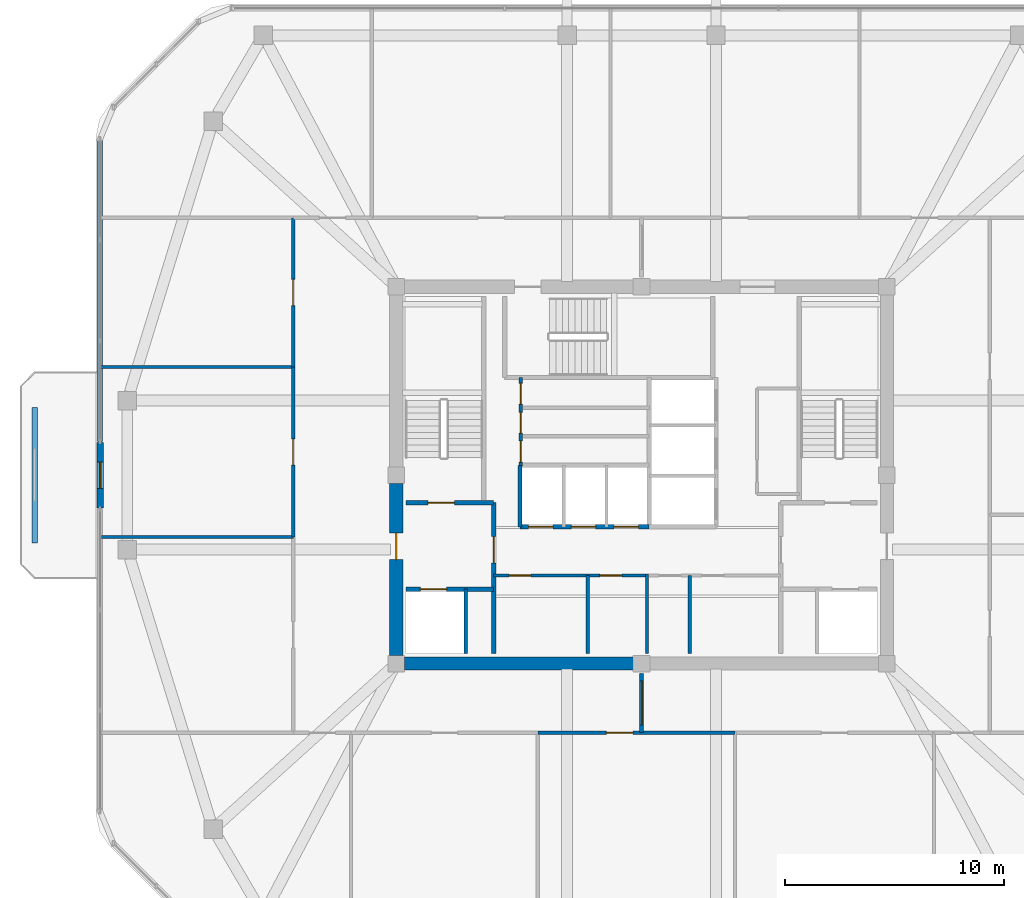
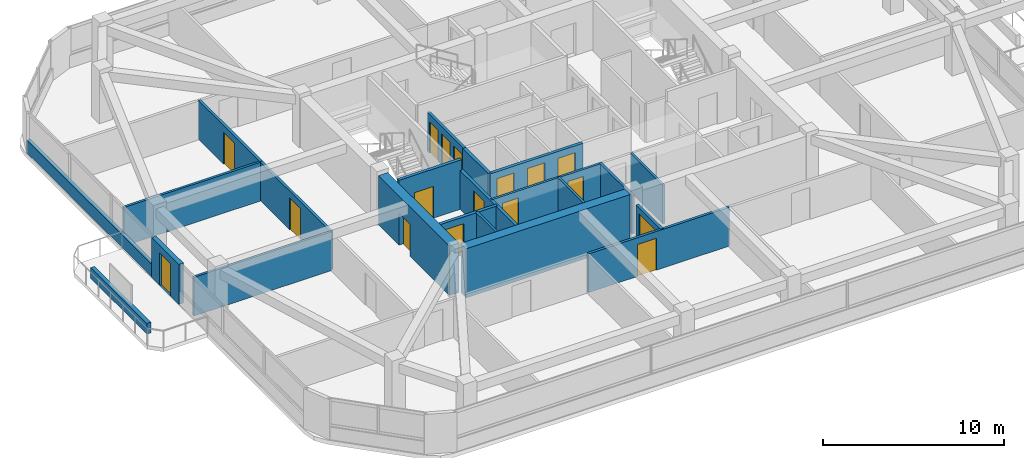
# One storey, part 9 of 13: 22 walls, 17 doors, 17 openings.
"""IFC4 building model written with IfcOpenShell, lengths in metres."""

from ifc_helpers import new_model, si_unit, derived_unit, direction, frame, frame_2d, origin, place, context, subcontext, project, spatial, rectangle, extrude, material, layer, layer_set, type_object, element, fill, save


model = new_model("IFC4")

# Units and contexts
model_context = context("Model", 3, precision=1e-05, world=origin(), true_north=direction((0.0, 1.0)))
body_context = subcontext(model_context, "Body", "Model", "MODEL_VIEW")
ifc_project = project(units=[si_unit("LENGTHUNIT", "METRE"), si_unit("AREAUNIT", "SQUARE_METRE"), si_unit("VOLUMEUNIT", "CUBIC_METRE"), si_unit("PLANEANGLEUNIT", "RADIAN"), si_unit("MASSUNIT", "GRAM", prefix="KILO"), derived_unit("THERMALTRANSMITTANCEUNIT", [(si_unit("POWERUNIT", "WATT"), 1), (si_unit("LENGTHUNIT", "METRE"), -2), (si_unit("THERMODYNAMICTEMPERATUREUNIT", "KELVIN"), -1)])], contexts=[model_context])

# Site, building, storey
site_placement = place(None, origin())
site = spatial("IfcSite", under=ifc_project, at=site_placement, CompositionType="ELEMENT")
building_placement = place(site_placement, origin())
building = spatial("IfcBuilding", under=site, at=building_placement, Name="Koralith Skygarden Medical Center", CompositionType="ELEMENT")
storey_placement = place(building_placement, frame((0.0, 0.0, 271.6201171875)))
storey = spatial("IfcBuildingStorey", under=building, at=storey_placement, Name="L70", CompositionType="ELEMENT", Elevation=271.6201171875)

# Wall, openings, doors
ifc_material_1 = material(Name="Gypsum Board Partition")
ifc_layer_1 = layer(ifc_material_1, 0.14990234375)
ifc_layer_set_1 = layer_set([ifc_layer_1], Name="Gypsum Board Partition")
wall_type_1 = type_object("IfcWallType", Name="Clinical Acoustic Partition 150", PredefinedType="PARTITIONING", material=ifc_layer_set_1)
wall_1_placement = place(storey_placement, frame((30.25, 21.320068359375, 0.0), z_axis=(0.0, 0.0, 1.0), x_axis=(1.0, 0.0, 0.0)))
wall_1 = element("IfcWall", 1, at=wall_1_placement, inside=storey, type_object=wall_type_1, Name="L70 Clinical Acoustic Partition 150 W-CORE-L70-FREED-LR-N", PredefinedType="PARTITIONING", context=body_context, shape_type="SweptSolid", body=[
    extrude(rectangle(XDim=7.0, YDim=0.14990234375, at=frame_2d((3.5, 0.0))), origin(), (0.0, 0.0, 1.0), 2.60986328125),
])
opening_1_placement = place(wall_1_placement, frame((0.699951171875, 0.0, 0.0)))
opening_1 = element("IfcOpeningElement", 2, at=opening_1_placement, cuts=wall_1, Name="Opening D-SUP", PredefinedType="OPENING", context=body_context, shape_type="SweptSolid", body=[
    extrude(rectangle(XDim=1.0, YDim=2.14990234375, at=frame_2d((0.5, 1.074951171875))), frame((0.0, 0.0849609375, 0.0), z_axis=(0.0, -1.0, 0.0), x_axis=(1.0, 0.0, 0.0)), (0.0, 0.0, 1.0), 0.169921875),
])
opening_2_placement = place(wall_1_placement, frame((4.85009765625, 0.0, 0.0)))
opening_2 = element("IfcOpeningElement", 3, at=opening_2_placement, cuts=wall_1, Name="Opening D-SUP", PredefinedType="OPENING", context=body_context, shape_type="SweptSolid", body=[
    extrude(rectangle(XDim=1.0, YDim=2.14990234375, at=frame_2d((0.5, 1.074951171875))), frame((0.0, 0.0849609375, 0.0), z_axis=(0.0, -1.0, 0.0), x_axis=(1.0, 0.0, 0.0)), (0.0, 0.0, 1.0), 0.169921875),
])
ifc_material_2 = material(Name="Aluminium 6063-T6", Category="aluminium")
door_type_1 = type_object("IfcDoorType", Name="Clinical Support Door D-SUP 1000", OperationType="NOTDEFINED", PredefinedType="DOOR", material=ifc_material_2)
door_1_placement = place(opening_1_placement, frame((1.0, 0.0, 0.0), z_axis=(0.0, 0.0, 1.0), x_axis=(-1.0, 0.0, 0.0)))
door_1 = element("IfcDoor", 4, at=door_1_placement, inside=storey, type_object=door_type_1, Name="L70 Medication Preparation Door", OperationType="SINGLE_SWING_LEFT", OverallHeight=2.14990234375, OverallWidth=1.0, PredefinedType="DOOR", context=body_context, shape_type="SweptSolid", body=[
    extrude(rectangle(XDim=1.0, YDim=2.14990234375, at=frame_2d((0.5, 1.074951171875))), frame((0.0, 0.02490234375, 0.0), z_axis=(0.0, -1.0, 0.0), x_axis=(1.0, 0.0, 0.0)), (0.0, 0.0, 1.0), 0.050048828125),
])
fill(opening_1, door_1)
door_2_placement = place(opening_2_placement, frame((1.0, 0.0, 0.0), z_axis=(0.0, 0.0, 1.0), x_axis=(-1.0, 0.0, 0.0)))
door_2 = element("IfcDoor", 5, at=door_2_placement, inside=storey, type_object=door_type_1, Name="L70 Telemetry Room Door", OperationType="SINGLE_SWING_RIGHT", OverallHeight=2.14990234375, OverallWidth=1.0, PredefinedType="DOOR", context=body_context, shape_type="SweptSolid", body=[
    extrude(rectangle(XDim=1.0, YDim=2.14990234375, at=frame_2d((0.5, 1.074951171875))), frame((0.0, 0.02490234375, 0.0), z_axis=(0.0, -1.0, 0.0), x_axis=(1.0, 0.0, 0.0)), (0.0, 0.0, 1.0), 0.050048828125),
])
fill(opening_2, door_2)

# Walls
for number, where, z_axis, x_axis, name in (
    (6, (34.550048828125, 17.75, 0.0), (0.0, 0.0, 1.0), (0.0, 1.0, 0.0), "L70 Clinical Acoustic Partition 150 W-CORE-L70-FREED-LR-M"),
    (7, (39.199951171875, 17.75, 0.0), (0.0, 0.0, 1.0), (0.0, 1.0, 0.0), "L70 Clinical Acoustic Partition 150 W-CORE-L70-FREED-MR-M"),
):
    element("IfcWall", number, at=place(storey_placement, frame(where, z_axis=z_axis, x_axis=x_axis)), inside=storey, type_object=wall_type_1, Name=name, PredefinedType="PARTITIONING", context=body_context, shape_type="SweptSolid", body=[
        extrude(rectangle(XDim=3.570068359375, YDim=0.14990234375, at=frame_2d((1.78515625, 0.0))), origin(), (0.0, 0.0, 1.0), 2.60986328125),
    ])
for number, where, z_axis, x_axis, name in (
    (8, (21.10009765625, 23.080078125, 0.0), (0.0, 0.0, 1.0), (-1.0, 0.0, 0.0), "L70 Clinical Acoustic Partition 150 W-PART-L70-W-01"),
    (9, (21.10009765625, 30.8349609375, 0.0), (0.0, 0.0, 1.0), (-1.0, 0.0, 0.0), "L70 Clinical Acoustic Partition 150 W-PART-L70-W-02"),
):
    element("IfcWall", number, at=place(storey_placement, frame(where, z_axis=z_axis, x_axis=x_axis)), inside=storey, type_object=wall_type_1, Name=name, PredefinedType="PARTITIONING", context=body_context, shape_type="SweptSolid", body=[
        extrude(rectangle(XDim=8.800048828125, YDim=0.14990234375, at=frame_2d((4.39990234375, 0.0))), origin(), (0.0, 0.0, 1.0), 2.60986328125),
    ])

# Wall, opening, door
ifc_layer_2 = layer(ifc_material_1, 0.1650390625)
ifc_layer_set_2 = layer_set([ifc_layer_2], Name="Gypsum Board Partition")
wall_type_2 = type_object("IfcWallType", Name="Clinical Corridor Partition 165", PredefinedType="PARTITIONING", material=ifc_layer_set_2)
wall_2_placement = place(storey_placement, frame((32.263916015625, 14.14990234375, 0.0), z_axis=(0.0, 0.0, 1.0), x_axis=(1.0, 0.0, 0.0)))
wall_2 = element("IfcWall", 10, at=wall_2_placement, inside=storey, type_object=wall_type_2, Name="L70 Clinical Corridor Partition 165 W-CORR-L70-S-03", PredefinedType="PARTITIONING", context=body_context, shape_type="SweptSolid", body=[
    extrude(rectangle(XDim=8.998046875, YDim=0.1650390625, at=frame_2d((4.4990234375, 0.0))), origin(), (0.0, 0.0, 1.0), 2.60986328125),
])
opening_3_placement = place(wall_2_placement, frame((3.135986328125, 0.0, 0.0)))
opening_3 = element("IfcOpeningElement", 11, at=opening_3_placement, cuts=wall_2, Name="Opening D-CLN", PredefinedType="OPENING", context=body_context, shape_type="SweptSolid", body=[
    extrude(rectangle(XDim=1.199951171875, YDim=2.14990234375, at=frame_2d((0.60009765625, 1.074951171875))), frame((0.0, 0.092529296875, 0.0), z_axis=(0.0, -1.0, 0.0), x_axis=(1.0, 0.0, 0.0)), (0.0, 0.0, 1.0), 0.18505859375),
])
door_type_2 = type_object("IfcDoorType", Name="Clinical Corridor Door D-CLN 1200", OperationType="NOTDEFINED", PredefinedType="DOOR", material=ifc_material_2)
door_3_placement = place(opening_3_placement, frame((1.199951171875, 0.0, 0.0), z_axis=(0.0, 0.0, 1.0), x_axis=(-1.0, 0.0, 0.0)))
door_3 = element("IfcDoor", 12, at=door_3_placement, inside=storey, type_object=door_type_2, Name="L70 Respiratory Family Lounge 07 Door", OperationType="SINGLE_SWING_RIGHT", OverallHeight=2.14990234375, OverallWidth=1.199951171875, PredefinedType="DOOR", context=body_context, shape_type="SweptSolid", body=[
    extrude(rectangle(XDim=1.199951171875, YDim=2.14990234375, at=frame_2d((0.60009765625, 1.074951171875))), frame((0.0, 0.02490234375, 0.0), z_axis=(0.0, -1.0, 0.0), x_axis=(1.0, 0.0, 0.0)), (0.0, 0.0, 1.0), 0.050048828125),
])
fill(opening_3, door_3)

wall_3_placement = place(storey_placement, frame((21.10009765625, 23.080078125, 0.0), z_axis=(0.0, 0.0, 1.0), x_axis=(0.0, 1.0, 0.0)))
wall_3 = element("IfcWall", 13, at=wall_3_placement, inside=storey, type_object=wall_type_2, Name="L70 Clinical Corridor Partition 165 W-CORR-L70-W-02", PredefinedType="PARTITIONING", context=body_context, shape_type="SweptSolid", body=[
    extrude(rectangle(XDim=7.7548828125, YDim=0.1650390625, at=frame_2d((3.87744140625, 0.0))), origin(), (0.0, 0.0, 1.0), 2.60986328125),
])
opening_4_placement = place(wall_3_placement, frame((3.278076171875, 0.0, 0.0)))
opening_4 = element("IfcOpeningElement", 14, at=opening_4_placement, cuts=wall_3, Name="Opening D-CLN", PredefinedType="OPENING", context=body_context, shape_type="SweptSolid", body=[
    extrude(rectangle(XDim=1.199951171875, YDim=2.14990234375, at=frame_2d((0.60009765625, 1.074951171875))), frame((0.0, 0.092529296875, 0.0), z_axis=(0.0, -1.0, 0.0), x_axis=(1.0, 0.0, 0.0)), (0.0, 0.0, 1.0), 0.18505859375),
])
door_4_placement = place(opening_4_placement, frame((1.199951171875, 0.0, 0.0), z_axis=(0.0, 0.0, 1.0), x_axis=(-1.0, 0.0, 0.0)))
door_4 = element("IfcDoor", 15, at=door_4_placement, inside=storey, type_object=door_type_2, Name="L70 Patient and Family Sky-Garden Day Lounge 11 Door", OperationType="SINGLE_SWING_RIGHT", OverallHeight=2.14990234375, OverallWidth=1.199951171875, PredefinedType="DOOR", context=body_context, shape_type="SweptSolid", body=[
    extrude(rectangle(XDim=1.199951171875, YDim=2.14990234375, at=frame_2d((0.60009765625, 1.074951171875))), frame((0.0, 0.02490234375, 0.0), z_axis=(0.0, -1.0, 0.0), x_axis=(1.0, 0.0, 0.0)), (0.0, 0.0, 1.0), 0.050048828125),
])
fill(opening_4, door_4)

wall_4_placement = place(storey_placement, frame((21.10009765625, 30.8349609375, 0.0), z_axis=(0.0, 0.0, 1.0), x_axis=(0.0, 1.0, 0.0)))
wall_4 = element("IfcWall", 16, at=wall_4_placement, inside=storey, type_object=wall_type_2, Name="L70 Clinical Corridor Partition 165 W-CORR-L70-W-03", PredefinedType="PARTITIONING", context=body_context, shape_type="SweptSolid", body=[
    extrude(rectangle(XDim=6.81494140625, YDim=0.1650390625, at=frame_2d((3.407470703125, 0.0))), origin(), (0.0, 0.0, 1.0), 2.60986328125),
])
opening_5_placement = place(wall_4_placement, frame((2.806884765625, 0.0, 0.0)))
opening_5 = element("IfcOpeningElement", 17, at=opening_5_placement, cuts=wall_4, Name="Opening D-CLN", PredefinedType="OPENING", context=body_context, shape_type="SweptSolid", body=[
    extrude(rectangle(XDim=1.199951171875, YDim=2.14990234375, at=frame_2d((0.60009765625, 1.074951171875))), frame((0.0, 0.092529296875, 0.0), z_axis=(0.0, -1.0, 0.0), x_axis=(1.0, 0.0, 0.0)), (0.0, 0.0, 1.0), 0.18505859375),
])
door_5_placement = place(opening_5_placement, frame((1.199951171875, 0.0, 0.0), z_axis=(0.0, 0.0, 1.0), x_axis=(-1.0, 0.0, 0.0)))
door_5 = element("IfcDoor", 18, at=door_5_placement, inside=storey, type_object=door_type_2, Name="L70 Respiratory Family Lounge 12 Door", OperationType="SINGLE_SWING_LEFT", OverallHeight=2.14990234375, OverallWidth=1.199951171875, PredefinedType="DOOR", context=body_context, shape_type="SweptSolid", body=[
    extrude(rectangle(XDim=1.199951171875, YDim=2.14990234375, at=frame_2d((0.60009765625, 1.074951171875))), frame((0.0, 0.02490234375, 0.0), z_axis=(0.0, -1.0, 0.0), x_axis=(1.0, 0.0, 0.0)), (0.0, 0.0, 1.0), 0.050048828125),
])
fill(opening_5, door_5)

ifc_layer_3 = layer(ifc_material_1, 0.199951171875)
ifc_layer_set_3 = layer_set([ifc_layer_3], Name="Gypsum Board Partition")
wall_type_3 = type_object("IfcWallType", Name="Fire Shaft Wall 200", PredefinedType="SOLIDWALL", material=ifc_layer_set_3)
wall_5_placement = place(storey_placement, frame((26.25, 20.699951171875, 0.0), z_axis=(0.0, 0.0, 1.0), x_axis=(1.0, 0.0, 0.0)))
wall_5 = element("IfcWall", 19, at=wall_5_placement, inside=storey, type_object=wall_type_3, Name="L70 Fire Shaft Wall 200 W-CORE-L70-FF1-N", PredefinedType="SOLIDWALL", context=body_context, shape_type="SweptSolid", body=[
    extrude(rectangle(XDim=4.0, YDim=0.199951171875, at=frame_2d((2.0, 0.0))), origin(), (0.0, 0.0, 1.0), 2.60986328125),
])
opening_6_placement = place(wall_5_placement, frame((0.64990234375, 0.0, 0.0)))
opening_6 = element("IfcOpeningElement", 20, at=opening_6_placement, cuts=wall_5, Name="Opening LD-FF", PredefinedType="OPENING", context=body_context, shape_type="SweptSolid", body=[
    extrude(rectangle(XDim=1.199951171875, YDim=2.14990234375, at=frame_2d((0.60009765625, 1.074951171875))), frame((0.0, 0.10986328125, 0.0), z_axis=(0.0, -1.0, 0.0), x_axis=(1.0, 0.0, 0.0)), (0.0, 0.0, 1.0), 0.219970703125),
])
ifc_material_3 = material(Name="Steel ASTM A500 Grade C", Category="steel")
door_type_3 = type_object("IfcDoorType", Name="Fire Lift Sliding Landing Door LD-FF 1200", OperationType="NOTDEFINED", PredefinedType="DOOR", material=ifc_material_3)
door_6_placement = place(opening_6_placement, origin())
door_6 = element("IfcDoor", 21, at=door_6_placement, inside=storey, type_object=door_type_3, Name="L70 Fire Service Elevator FF1 Landing Door", OperationType="SLIDING_TO_LEFT", OverallHeight=2.14990234375, OverallWidth=1.199951171875, PredefinedType="DOOR", context=body_context, shape_type="SweptSolid", body=[
    extrude(rectangle(XDim=1.199951171875, YDim=2.14990234375, at=frame_2d((0.60009765625, 1.074951171875))), frame((0.0, 0.02490234375, 0.0), z_axis=(0.0, -1.0, 0.0), x_axis=(1.0, 0.0, 0.0)), (0.0, 0.0, 1.0), 0.050048828125),
])
fill(opening_6, door_6)

wall_6_placement = place(storey_placement, frame((30.25, 17.75, 0.0), z_axis=(0.0, 0.0, 1.0), x_axis=(0.0, 1.0, 0.0)))
wall_6 = element("IfcWall", 22, at=wall_6_placement, inside=storey, type_object=wall_type_3, Name="L70 Fire Shaft Wall 200 W-CORE-L70-FSAEW-E", PredefinedType="SOLIDWALL", context=body_context, shape_type="SweptSolid", body=[
    extrude(rectangle(XDim=6.89990234375, YDim=0.199951171875, at=frame_2d((3.449951171875, 0.0))), origin(), (0.0, 0.0, 1.0), 2.60986328125),
])
opening_7_placement = place(wall_6_placement, frame((4.14990234375, 0.0, 0.0)))
opening_7 = element("IfcOpeningElement", 23, at=opening_7_placement, cuts=wall_6, Name="Opening D-ST60", PredefinedType="OPENING", context=body_context, shape_type="SweptSolid", body=[
    extrude(rectangle(XDim=1.199951171875, YDim=2.14990234375, at=frame_2d((0.60009765625, 1.074951171875))), frame((0.0, 0.10986328125, 0.0), z_axis=(0.0, -1.0, 0.0), x_axis=(1.0, 0.0, 0.0)), (0.0, 0.0, 1.0), 0.219970703125),
])
door_type_4 = type_object("IfcDoorType", Name="Smokeproof Stair Fire Door FD60S 1200", OperationType="NOTDEFINED", PredefinedType="DOOR", material=ifc_material_3)
door_7_placement = place(opening_7_placement, origin())
door_7 = element("IfcDoor", 24, at=door_7_placement, inside=storey, type_object=door_type_4, Name="L70 West Firefighting Lobby Inner Fire Door", OperationType="SINGLE_SWING_LEFT", OverallHeight=2.14990234375, OverallWidth=1.199951171875, PredefinedType="DOOR", context=body_context, shape_type="SweptSolid", body=[
    extrude(rectangle(XDim=1.199951171875, YDim=2.14990234375, at=frame_2d((0.60009765625, 1.074951171875))), frame((0.0, 0.02490234375, 0.0), z_axis=(0.0, -1.0, 0.0), x_axis=(1.0, 0.0, 0.0)), (0.0, 0.0, 1.0), 0.050048828125),
])
fill(opening_7, door_7)

# Wall, openings, doors
wall_7_placement = place(storey_placement, frame((31.449951171875, 23.5400390625, 0.0), z_axis=(0.0, 0.0, 1.0), x_axis=(1.0, 0.0, 0.0)))
wall_7 = element("IfcWall", 25, at=wall_7_placement, inside=storey, type_object=wall_type_3, Name="L70 Fire Shaft Wall 200 W-CORE-L70-PH-S", PredefinedType="SOLIDWALL", context=body_context, shape_type="SweptSolid", body=[
    extrude(rectangle(XDim=5.900146484375, YDim=0.199951171875, at=frame_2d((2.9501953125, 0.0))), origin(), (0.0, 0.0, 1.0), 2.60986328125),
])
opening_8_placement = place(wall_7_placement, frame((0.39990234375, 0.0, 0.0)))
opening_8 = element("IfcOpeningElement", 26, at=opening_8_placement, cuts=wall_7, Name="Opening LD-P", PredefinedType="OPENING", context=body_context, shape_type="SweptSolid", body=[
    extrude(rectangle(XDim=1.10009765625, YDim=2.14990234375, at=frame_2d((0.550048828125, 1.074951171875))), frame((0.0, 0.10986328125, 0.0), z_axis=(0.0, -1.0, 0.0), x_axis=(1.0, 0.0, 0.0)), (0.0, 0.0, 1.0), 0.219970703125),
])
opening_9_placement = place(wall_7_placement, frame((2.35009765625, 0.0, 0.0)))
opening_9 = element("IfcOpeningElement", 27, at=opening_9_placement, cuts=wall_7, Name="Opening LD-P", PredefinedType="OPENING", context=body_context, shape_type="SweptSolid", body=[
    extrude(rectangle(XDim=1.10009765625, YDim=2.14990234375, at=frame_2d((0.550048828125, 1.074951171875))), frame((0.0, 0.10986328125, 0.0), z_axis=(0.0, -1.0, 0.0), x_axis=(1.0, 0.0, 0.0)), (0.0, 0.0, 1.0), 0.219970703125),
])
opening_10_placement = place(wall_7_placement, frame((4.300048828125, 0.0, 0.0)))
opening_10 = element("IfcOpeningElement", 28, at=opening_10_placement, cuts=wall_7, Name="Opening LD-P", PredefinedType="OPENING", context=body_context, shape_type="SweptSolid", body=[
    extrude(rectangle(XDim=1.10009765625, YDim=2.14990234375, at=frame_2d((0.550048828125, 1.074951171875))), frame((0.0, 0.10986328125, 0.0), z_axis=(0.0, -1.0, 0.0), x_axis=(1.0, 0.0, 0.0)), (0.0, 0.0, 1.0), 0.219970703125),
])
door_type_5 = type_object("IfcDoorType", Name="Passenger Lift Sliding Landing Door LD-P 1100", OperationType="NOTDEFINED", PredefinedType="DOOR", material=ifc_material_3)
door_8_placement = place(opening_8_placement, origin())
door_8 = element("IfcDoor", 29, at=door_8_placement, inside=storey, type_object=door_type_5, Name="L70 Passenger Elevator PH1 Landing Door", OperationType="SLIDING_TO_RIGHT", OverallHeight=2.14990234375, OverallWidth=1.10009765625, PredefinedType="DOOR", context=body_context, shape_type="SweptSolid", body=[
    extrude(rectangle(XDim=1.10009765625, YDim=2.14990234375, at=frame_2d((0.550048828125, 1.074951171875))), frame((0.0, 0.02490234375, 0.0), z_axis=(0.0, -1.0, 0.0), x_axis=(1.0, 0.0, 0.0)), (0.0, 0.0, 1.0), 0.050048828125),
])
fill(opening_8, door_8)
door_9_placement = place(opening_9_placement, origin())
door_9 = element("IfcDoor", 30, at=door_9_placement, inside=storey, type_object=door_type_5, Name="L70 Passenger Elevator PH2 Landing Door", OperationType="SLIDING_TO_RIGHT", OverallHeight=2.14990234375, OverallWidth=1.10009765625, PredefinedType="DOOR", context=body_context, shape_type="SweptSolid", body=[
    extrude(rectangle(XDim=1.10009765625, YDim=2.14990234375, at=frame_2d((0.550048828125, 1.074951171875))), frame((0.0, 0.02490234375, 0.0), z_axis=(0.0, -1.0, 0.0), x_axis=(1.0, 0.0, 0.0)), (0.0, 0.0, 1.0), 0.050048828125),
])
fill(opening_9, door_9)
door_10_placement = place(opening_10_placement, origin())
door_10 = element("IfcDoor", 31, at=door_10_placement, inside=storey, type_object=door_type_5, Name="L70 Passenger Elevator PH3 Landing Door", OperationType="SLIDING_TO_RIGHT", OverallHeight=2.14990234375, OverallWidth=1.10009765625, PredefinedType="DOOR", context=body_context, shape_type="SweptSolid", body=[
    extrude(rectangle(XDim=1.10009765625, YDim=2.14990234375, at=frame_2d((0.550048828125, 1.074951171875))), frame((0.0, 0.02490234375, 0.0), z_axis=(0.0, -1.0, 0.0), x_axis=(1.0, 0.0, 0.0)), (0.0, 0.0, 1.0), 0.050048828125),
])
fill(opening_10, door_10)

# Wall
wall_8_placement = place(storey_placement, frame((31.449951171875, 23.5400390625, 0.0), z_axis=(0.0, 0.0, 1.0), x_axis=(0.0, 1.0, 0.0)))
element("IfcWall", 32, at=wall_8_placement, inside=storey, type_object=wall_type_3, Name="L70 Fire Shaft Wall 200 W-CORE-L70-PH-W", PredefinedType="SOLIDWALL", context=body_context, shape_type="SweptSolid", body=[
    extrude(rectangle(XDim=2.81005859375, YDim=0.199951171875, at=frame_2d((1.405029296875, 0.0))), origin(), (0.0, 0.0, 1.0), 2.60986328125),
])

# Wall, opening, door
ifc_layer_4 = layer(ifc_material_1, 0.179931640625)
ifc_layer_set_4 = layer_set([ifc_layer_4], Name="Gypsum Board Partition")
wall_type_4 = type_object("IfcWallType", Name="Group I-2 Smoke Barrier Wall 180", PredefinedType="PARTITIONING", material=ifc_layer_set_4)
wall_9_placement = place(storey_placement, frame((37.0, 14.14990234375, 0.0), z_axis=(0.0, 0.0, 1.0), x_axis=(0.0, 1.0, 0.0)))
wall_9 = element("IfcWall", 33, at=wall_9_placement, inside=storey, type_object=wall_type_4, Name="L70 Group I-2 Smoke Barrier Wall 180 W-SMK-L70-S", PredefinedType="PARTITIONING", context=body_context, shape_type="SweptSolid", body=[
    extrude(rectangle(XDim=2.7001953125, YDim=0.179931640625, at=frame_2d((1.35009765625, 0.0))), origin(), (0.0, 0.0, 1.0), 2.60986328125),
])
opening_11_placement = place(wall_9_placement, frame((0.35009765625, 0.0, 0.0)))
opening_11 = element("IfcOpeningElement", 34, at=opening_11_placement, cuts=wall_9, Name="Opening D-SMK", PredefinedType="OPENING", context=body_context, shape_type="SweptSolid", body=[
    extrude(rectangle(XDim=2.0, YDim=2.199951171875, at=frame_2d((1.0, 1.10009765625))), frame((0.0, 0.099853515625, 0.0), z_axis=(0.0, -1.0, 0.0), x_axis=(1.0, 0.0, 0.0)), (0.0, 0.0, 1.0), 0.199951171875),
])
door_type_6 = type_object("IfcDoorType", Name="Cross-Corridor Double Smoke Door FD60S 2000", OperationType="NOTDEFINED", PredefinedType="DOOR", material=ifc_material_3)
door_11_placement = place(opening_11_placement, frame((2.0, 0.0, 0.0), z_axis=(0.0, 0.0, 1.0), x_axis=(-1.0, 0.0, 0.0)))
door_11 = element("IfcDoor", 35, at=door_11_placement, inside=storey, type_object=door_type_6, Name="L70 S Smoke Compartment Cross-Corridor Door", OperationType="DOUBLE_DOOR_SINGLE_SWING", OverallHeight=2.199951171875, OverallWidth=2.0, PredefinedType="DOOR", context=body_context, shape_type="SweptSolid", body=[
    extrude(rectangle(XDim=2.0, YDim=2.199951171875, at=frame_2d((1.0, 1.10009765625))), frame((0.0, 0.02490234375, 0.0), z_axis=(0.0, -1.0, 0.0), x_axis=(1.0, 0.0, 0.0)), (0.0, 0.0, 1.0), 0.050048828125),
])
fill(opening_11, door_11)

# Wall
ifc_material_4 = material(Name="Warm Oolitic Limestone Cladding", Category="masonry")
ifc_layer_5 = layer(ifc_material_4, 0.239990234375)
ifc_layer_set_5 = layer_set([ifc_layer_5], Name="Warm Oolitic Limestone Cladding")
wall_type_5 = type_object("IfcWallType", Name="Limestone Spandrel Sill Backup Wall 240", PredefinedType="SOLIDWALL", material=ifc_layer_set_5)
wall_10_placement = place(storey_placement, frame((12.280029296875, 41.2451171875, 0.0), z_axis=(0.0, 0.0, 1.0), x_axis=(0.0, -1.0, 0.0)))
element("IfcWall", 36, at=wall_10_placement, inside=storey, type_object=wall_type_5, Name="L70 Sill Spandrel W-L", PredefinedType="SOLIDWALL", context=body_context, shape_type="SweptSolid", body=[
    extrude(rectangle(XDim=13.80517578125, YDim=0.239990234375, at=frame_2d((6.902587890625, 0.0))), origin(), (0.0, 0.0, 1.0), 0.849853515625),
])

# Wall, opening, door
ifc_layer_6 = layer(ifc_material_4, 0.300048828125)
ifc_layer_set_6 = layer_set([ifc_layer_6], Name="Warm Oolitic Limestone Cladding")
wall_type_6 = type_object("IfcWallType", Name="Oolitic Limestone Insulated Facade Wall 300", PredefinedType="SOLIDWALL", material=ifc_layer_set_6)
wall_11_placement = place(storey_placement, frame((12.280029296875, 27.39990234375, 0.0), z_axis=(0.0, 0.0, 1.0), x_axis=(0.0, -1.0, 0.0)))
wall_11 = element("IfcWall", 37, at=wall_11_placement, inside=storey, type_object=wall_type_6, Name="L70 Terrace Portal Wall W", PredefinedType="SOLIDWALL", context=body_context, shape_type="SweptSolid", body=[
    extrude(rectangle(XDim=3.0, YDim=0.300048828125, at=frame_2d((1.5, 0.0))), origin(), (0.0, 0.0, 1.0), 2.68994140625),
])
opening_12_placement = place(wall_11_placement, frame((0.89990234375, 0.0, 0.0)))
opening_12 = element("IfcOpeningElement", 38, at=opening_12_placement, cuts=wall_11, Name="Opening D-BAL", PredefinedType="OPENING", context=body_context, shape_type="SweptSolid", body=[
    extrude(rectangle(XDim=1.199951171875, YDim=2.199951171875, at=frame_2d((0.60009765625, 1.10009765625))), frame((0.0, 0.159912109375, 0.0), z_axis=(0.0, -1.0, 0.0), x_axis=(1.0, 0.0, 0.0)), (0.0, 0.0, 1.0), 0.320068359375),
])
door_type_7 = type_object("IfcDoorType", Name="Planted Balcony Glazed Terrace Door D-BAL 1200", OperationType="NOTDEFINED", PredefinedType="DOOR", material=ifc_material_2)
door_12_placement = place(opening_12_placement, origin())
door_12 = element("IfcDoor", 39, at=door_12_placement, inside=storey, type_object=door_type_7, Name="L70 W Outdoor Terrace Access Door", OperationType="SINGLE_SWING_LEFT", OverallHeight=2.199951171875, OverallWidth=1.199951171875, PredefinedType="DOOR", context=body_context, shape_type="SweptSolid", body=[
    extrude(rectangle(XDim=1.199951171875, YDim=2.199951171875, at=frame_2d((0.60009765625, 1.10009765625))), frame((0.0, 0.02490234375, 0.0), z_axis=(0.0, -1.0, 0.0), x_axis=(1.0, 0.0, 0.0)), (0.0, 0.0, 1.0), 0.050048828125),
])
fill(opening_12, door_12)

# Wall, openings, doors
ifc_layer_7 = layer(ifc_material_1, 0.1650390625)
ifc_layer_set_7 = layer_set([ifc_layer_7], Name="Gypsum Board Partition")
wall_type_7 = type_object("IfcWallType", Name="Plumbing Wet Wall 165", PredefinedType="PLUMBINGWALL", material=ifc_layer_set_7)
wall_12_placement = place(storey_placement, frame((31.47998046875, 26.320068359375, 0.0), z_axis=(0.0, 0.0, 1.0), x_axis=(0.0, 1.0, 0.0)))
wall_12 = element("IfcWall", 40, at=wall_12_placement, inside=storey, type_object=wall_type_7, Name="L70 Plumbing Wet Wall 165 W-CORE-L70-FLEX-W", PredefinedType="PLUMBINGWALL", context=body_context, shape_type="SweptSolid", body=[
    extrude(rectangle(XDim=4.0400390625, YDim=0.1650390625, at=frame_2d((2.02001953125, 0.0))), origin(), (0.0, 0.0, 1.0), 2.60986328125),
])
opening_13_placement = place(wall_12_placement, frame((0.179931640625, 0.0, 0.0)))
opening_13 = element("IfcOpeningElement", 41, at=opening_13_placement, cuts=wall_12, Name="Opening D-WC", PredefinedType="OPENING", context=body_context, shape_type="SweptSolid", body=[
    extrude(rectangle(XDim=0.949951171875, YDim=2.10009765625, at=frame_2d((0.47509765625, 1.050048828125))), frame((0.0, 0.092529296875, 0.0), z_axis=(0.0, -1.0, 0.0), x_axis=(1.0, 0.0, 0.0)), (0.0, 0.0, 1.0), 0.18505859375),
])
opening_14_placement = place(wall_12_placement, frame((1.5, 0.0, 0.0)))
opening_14 = element("IfcOpeningElement", 42, at=opening_14_placement, cuts=wall_12, Name="Opening D-WC", PredefinedType="OPENING", context=body_context, shape_type="SweptSolid", body=[
    extrude(rectangle(XDim=0.949951171875, YDim=2.10009765625, at=frame_2d((0.47509765625, 1.050048828125))), frame((0.0, 0.092529296875, 0.0), z_axis=(0.0, -1.0, 0.0), x_axis=(1.0, 0.0, 0.0)), (0.0, 0.0, 1.0), 0.18505859375),
])
opening_15_placement = place(wall_12_placement, frame((2.820068359375, 0.0, 0.0)))
opening_15 = element("IfcOpeningElement", 43, at=opening_15_placement, cuts=wall_12, Name="Opening D-WC", PredefinedType="OPENING", context=body_context, shape_type="SweptSolid", body=[
    extrude(rectangle(XDim=0.949951171875, YDim=2.10009765625, at=frame_2d((0.47509765625, 1.050048828125))), frame((0.0, 0.092529296875, 0.0), z_axis=(0.0, -1.0, 0.0), x_axis=(1.0, 0.0, 0.0)), (0.0, 0.0, 1.0), 0.18505859375),
])
door_type_8 = type_object("IfcDoorType", Name="Accessible Toilet Door D-WC 950", OperationType="NOTDEFINED", PredefinedType="DOOR", material=ifc_material_2)
door_13_placement = place(opening_13_placement, frame((0.949951171875, 0.0, 0.0), z_axis=(0.0, 0.0, 1.0), x_axis=(-1.0, 0.0, 0.0)))
door_13 = element("IfcDoor", 44, at=door_13_placement, inside=storey, type_object=door_type_8, Name="L70 Core Accessible WC Door", OperationType="SINGLE_SWING_LEFT", OverallHeight=2.10009765625, OverallWidth=0.949951171875, PredefinedType="DOOR", context=body_context, shape_type="SweptSolid", body=[
    extrude(rectangle(XDim=0.949951171875, YDim=2.10009765625, at=frame_2d((0.47509765625, 1.050048828125))), frame((0.0, 0.02490234375, 0.0), z_axis=(0.0, -1.0, 0.0), x_axis=(1.0, 0.0, 0.0)), (0.0, 0.0, 1.0), 0.050048828125),
])
fill(opening_13, door_13)
door_14_placement = place(opening_14_placement, frame((0.949951171875, 0.0, 0.0), z_axis=(0.0, 0.0, 1.0), x_axis=(-1.0, 0.0, 0.0)))
door_14 = element("IfcDoor", 45, at=door_14_placement, inside=storey, type_object=door_type_8, Name="L70 Staff Pantry Door", OperationType="SINGLE_SWING_LEFT", OverallHeight=2.10009765625, OverallWidth=0.949951171875, PredefinedType="DOOR", context=body_context, shape_type="SweptSolid", body=[
    extrude(rectangle(XDim=0.949951171875, YDim=2.10009765625, at=frame_2d((0.47509765625, 1.050048828125))), frame((0.0, 0.02490234375, 0.0), z_axis=(0.0, -1.0, 0.0), x_axis=(1.0, 0.0, 0.0)), (0.0, 0.0, 1.0), 0.050048828125),
])
fill(opening_14, door_14)
door_15_placement = place(opening_15_placement, frame((0.949951171875, 0.0, 0.0), z_axis=(0.0, 0.0, 1.0), x_axis=(-1.0, 0.0, 0.0)))
door_15 = element("IfcDoor", 46, at=door_15_placement, inside=storey, type_object=door_type_8, Name="L70 IT Comms Door", OperationType="SINGLE_SWING_RIGHT", OverallHeight=2.10009765625, OverallWidth=0.949951171875, PredefinedType="DOOR", context=body_context, shape_type="SweptSolid", body=[
    extrude(rectangle(XDim=0.949951171875, YDim=2.10009765625, at=frame_2d((0.47509765625, 1.050048828125))), frame((0.0, 0.02490234375, 0.0), z_axis=(0.0, -1.0, 0.0), x_axis=(1.0, 0.0, 0.0)), (0.0, 0.0, 1.0), 0.050048828125),
])
fill(opening_15, door_15)

# Walls
ifc_layer_8 = layer(ifc_material_1, 0.14990234375)
ifc_layer_set_8 = layer_set([ifc_layer_8], Name="Gypsum Board Partition")
wall_type_8 = type_object("IfcWallType", Name="Shaft Partition Wall 150", PredefinedType="PARTITIONING", material=ifc_layer_set_8)
wall_13_placement = place(storey_placement, frame((28.969970703125, 17.75, 0.0), z_axis=(0.0, 0.0, 1.0), x_axis=(0.0, 1.0, 0.0)))
element("IfcWall", 47, at=wall_13_placement, inside=storey, type_object=wall_type_8, Name="L70 Shaft Partition Wall 150 W-CORE-L70-RSRW-DIV", PredefinedType="PARTITIONING", context=body_context, shape_type="SweptSolid", body=[
    extrude(rectangle(XDim=2.949951171875, YDim=0.14990234375, at=frame_2d((1.47509765625, 0.0))), origin(), (0.0, 0.0, 1.0), 2.60986328125),
])
wall_14_placement = place(storey_placement, frame((37.25, 17.75, 0.0), z_axis=(0.0, 0.0, 1.0), x_axis=(0.0, 1.0, 0.0)))
element("IfcWall", 48, at=wall_14_placement, inside=storey, type_object=wall_type_8, Name="L70 Shaft Partition Wall 150 W-CORE-L70-PL-PM-SEP", PredefinedType="PARTITIONING", context=body_context, shape_type="SweptSolid", body=[
    extrude(rectangle(XDim=3.64990234375, YDim=0.14990234375, at=frame_2d((1.824951171875, 0.0))), origin(), (0.0, 0.0, 1.0), 2.60986328125),
])
ifc_material_5 = material(Name="Precast concrete C40/50", Category="concrete")
ifc_layer_9 = layer(ifc_material_5, 0.25)
ifc_layer_set_9 = layer_set([ifc_layer_9], Name="Precast concrete C40/50")
wall_type_9 = type_object("IfcWallType", Name="Structural Concrete Balcony Planter Kerb 250", PredefinedType="PARAPET", material=ifc_layer_set_9)
wall_15_placement = place(storey_placement, frame((9.300048828125, 22.800048828125, 0.0), z_axis=(0.0, 0.0, 1.0), x_axis=(0.0, 1.0, 0.0)))
element("IfcWall", 49, at=wall_15_placement, inside=storey, type_object=wall_type_9, Name="L70 W Structural Tree PLANTER Box", PredefinedType="PARAPET", context=body_context, shape_type="SweptSolid", body=[
    extrude(rectangle(XDim=6.199951171875, YDim=0.25, at=frame_2d((3.10009765625, 0.0))), origin(), (0.0, 0.0, 1.0), 0.719970703125),
])

# Wall, opening, door
ifc_material_6 = material(Name="Concrete C45/55", Category="concrete")
ifc_layer_10 = layer(ifc_material_6, 0.199951171875)
ifc_layer_set_10 = layer_set([ifc_layer_10], Name="Concrete C45/55")
wall_type_10 = type_object("IfcWallType", Name="Structural Stair Shaft Wall 200", PredefinedType="SHEAR", material=ifc_layer_set_10)
wall_16_placement = place(storey_placement, frame((26.25, 24.64990234375, 0.0), z_axis=(0.0, 0.0, 1.0), x_axis=(1.0, 0.0, 0.0)))
wall_16 = element("IfcWall", 50, at=wall_16_placement, inside=storey, type_object=wall_type_10, Name="L70 Structural Stair Shaft Wall 200 W-CORE-L70-ST1-S", PredefinedType="SHEAR", context=body_context, shape_type="SweptSolid", body=[
    extrude(rectangle(XDim=4.0, YDim=0.199951171875, at=frame_2d((2.0, 0.0))), origin(), (0.0, 0.0, 1.0), 3.31982421875),
])
opening_16_placement = place(wall_16_placement, frame((1.0, 0.0, 0.0)))
opening_16 = element("IfcOpeningElement", 51, at=opening_16_placement, cuts=wall_16, Name="Opening D-ST60", PredefinedType="OPENING", context=body_context, shape_type="SweptSolid", body=[
    extrude(rectangle(XDim=1.199951171875, YDim=2.14990234375, at=frame_2d((0.60009765625, 1.074951171875))), frame((0.0, 0.10986328125, 0.0), z_axis=(0.0, -1.0, 0.0), x_axis=(1.0, 0.0, 0.0)), (0.0, 0.0, 1.0), 0.219970703125),
])
door_16_placement = place(opening_16_placement, origin())
door_16 = element("IfcDoor", 52, at=door_16_placement, inside=storey, type_object=door_type_4, Name="L70 Exit Stair ST1 Fire Door", OperationType="SINGLE_SWING_LEFT", OverallHeight=2.14990234375, OverallWidth=1.199951171875, PredefinedType="DOOR", context=body_context, shape_type="SweptSolid", body=[
    extrude(rectangle(XDim=1.199951171875, YDim=2.14990234375, at=frame_2d((0.60009765625, 1.074951171875))), frame((0.0, 0.02490234375, 0.0), z_axis=(0.0, -1.0, 0.0), x_axis=(1.0, 0.0, 0.0)), (0.0, 0.0, 1.0), 0.050048828125),
])
fill(opening_16, door_16)

# Wall
ifc_material_7 = material(Name="Concrete C55/67", Category="concrete")
ifc_layer_11 = layer(ifc_material_7, 0.60009765625)
ifc_layer_set_11 = layer_set([ifc_layer_11], Name="Concrete C55/67")
wall_type_11 = type_object("IfcWallType", Name="Upper Core Shear Wall 600", PredefinedType="SHEAR", material=ifc_layer_set_11)
wall_17_placement = place(storey_placement, frame((26.175048828125, 17.300048828125, 0.0), z_axis=(0.0, 0.0, 1.0), x_axis=(1.0, 0.0, 0.0)))
element("IfcWall", 53, at=wall_17_placement, inside=storey, type_object=wall_type_11, Name="L70 Core Shear Wall Segment 1", PredefinedType="SHEAR", context=body_context, shape_type="SweptSolid", body=[
    extrude(rectangle(XDim=10.449951171875, YDim=0.60009765625, at=frame_2d((5.22509765625, 0.0))), origin(), (0.0, 0.0, 1.0), 3.31982421875),
])

# Wall, opening, door
wall_18_placement = place(storey_placement, frame((25.800048828125, 25.52490234375, 0.0), z_axis=(0.0, 0.0, 1.0), x_axis=(0.0, -1.0, 0.0)))
wall_18 = element("IfcWall", 54, at=wall_18_placement, inside=storey, type_object=wall_type_11, Name="L70 Core Shear Wall Segment 8", PredefinedType="SHEAR", context=body_context, shape_type="SweptSolid", body=[
    extrude(rectangle(XDim=7.849853515625, YDim=0.60009765625, at=frame_2d((3.9248046875, 0.0))), origin(), (0.0, 0.0, 1.0), 3.31982421875),
])
opening_17_placement = place(wall_18_placement, frame((2.27490234375, 0.0, 0.0)))
opening_17 = element("IfcOpeningElement", 55, at=opening_17_placement, cuts=wall_18, Name="Opening D-ST60", PredefinedType="OPENING", context=body_context, shape_type="SweptSolid", body=[
    extrude(rectangle(XDim=1.199951171875, YDim=2.14990234375, at=frame_2d((0.60009765625, 1.074951171875))), frame((0.0, 0.31005859375, 0.0), z_axis=(0.0, -1.0, 0.0), x_axis=(1.0, 0.0, 0.0)), (0.0, 0.0, 1.0), 0.6201171875),
])
door_17_placement = place(opening_17_placement, frame((1.199951171875, 0.0, 0.0), z_axis=(0.0, 0.0, 1.0), x_axis=(-1.0, 0.0, 0.0)))
door_17 = element("IfcDoor", 56, at=door_17_placement, inside=storey, type_object=door_type_4, Name="L70 West Corridor to Firefighting Lobby Door", OperationType="SINGLE_SWING_LEFT", OverallHeight=2.14990234375, OverallWidth=1.199951171875, PredefinedType="DOOR", context=body_context, shape_type="SweptSolid", body=[
    extrude(rectangle(XDim=1.199951171875, YDim=2.14990234375, at=frame_2d((0.60009765625, 1.074951171875))), frame((0.0, 0.02490234375, 0.0), z_axis=(0.0, -1.0, 0.0), x_axis=(1.0, 0.0, 0.0)), (0.0, 0.0, 1.0), 0.050048828125),
])
fill(opening_17, door_17)

save(model, "model.ifc")
